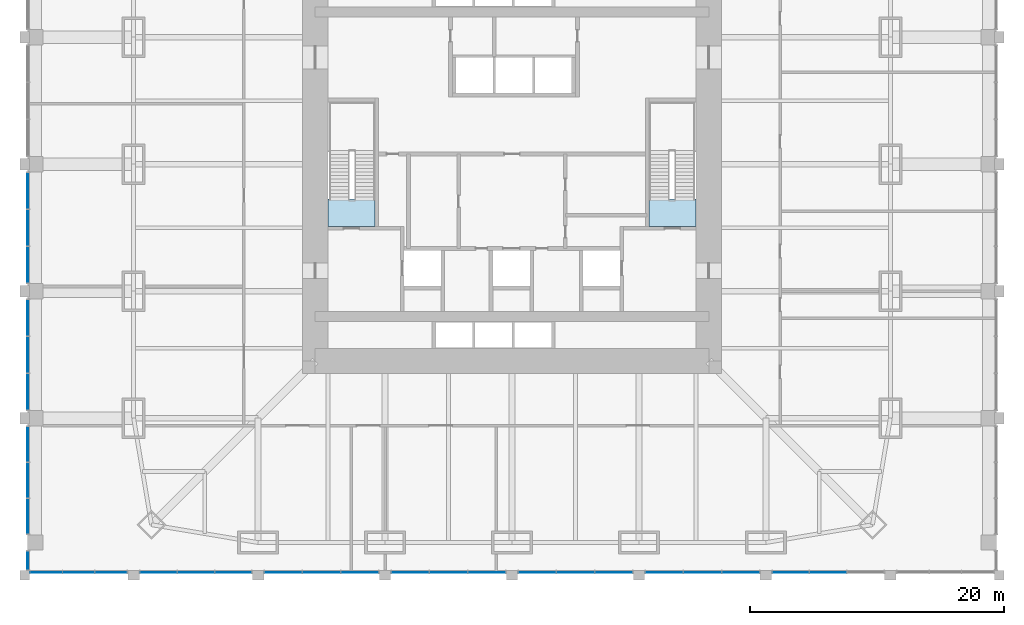
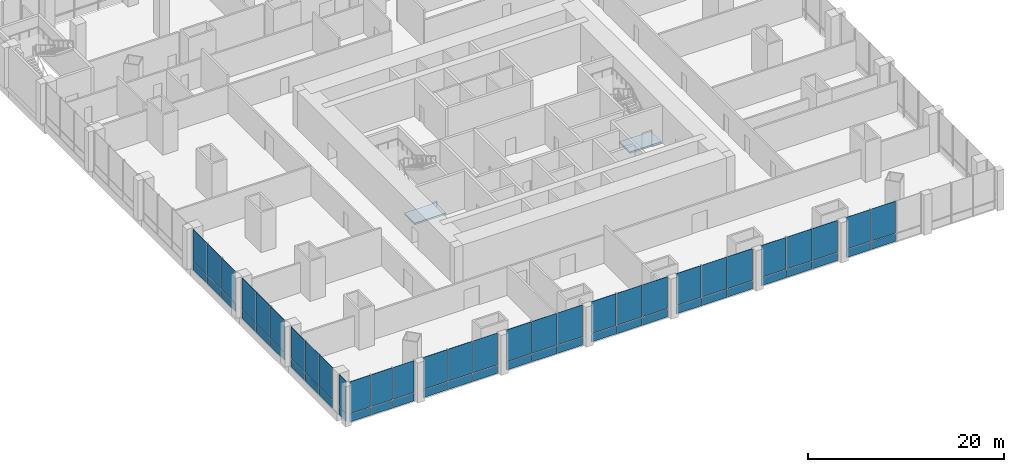
# One storey, part 13 of 24: 60 plates, 2 slabs, 13 elements without a shape of their own.
"""IFC4 building model written with IfcOpenShell, lengths in metres."""

from ifc_helpers import new_model, si_unit, direction, frame, origin, origin_2d, place, context, subcontext, project, spatial, polyline, rectangle, outline, extrude, material, layer, layer_set, type_object, element, aggregate, save


model = new_model("IFC4")

# Units and contexts
model_context = context("Model", 3, precision=1e-05, world=origin(), true_north=direction((0.0, 1.0)))
body_context = subcontext(model_context, "Body", "Model", "MODEL_VIEW")
ifc_project = project(units=[si_unit("LENGTHUNIT", "METRE"), si_unit("AREAUNIT", "SQUARE_METRE"), si_unit("VOLUMEUNIT", "CUBIC_METRE"), si_unit("PLANEANGLEUNIT", "RADIAN"), si_unit("MASSUNIT", "GRAM", prefix="KILO")], contexts=[model_context])

# Site, building, storey
site_placement = place(None, origin())
site = spatial("IfcSite", under=ifc_project, at=site_placement, CompositionType="ELEMENT")
building_placement = place(site_placement, origin())
building = spatial("IfcBuilding", under=site, at=building_placement, Name="Khuree Lantern Residences", CompositionType="ELEMENT")
storey_placement = place(building_placement, frame((0.0, 0.0, 6.0)))
storey = spatial("IfcBuildingStorey", under=building, at=storey_placement, Name="L01", CompositionType="ELEMENT", Elevation=6.0)

# Stair, slab
ifc_material_1 = material(Name="Concrete C40/50", Category="concrete")
stair_type = type_object("IfcStairType", Name="STAIR ST1 HALF TURN 3600", PredefinedType="HALF_TURN_STAIR", material=ifc_material_1)
stair_1_placement = place(storey_placement, origin())
stair_1 = element("IfcStair", 1, at=stair_1_placement, inside=storey, type_object=stair_type, Name="Stair ST1", PredefinedType="HALF_TURN_STAIR")
ifc_layer_1 = layer(ifc_material_1, 0.199951171875)
ifc_layer_set_1 = layer_set([ifc_layer_1], Name="STAIR LANDING SL1 200")
slab_type = type_object("IfcSlabType", Name="STAIR LANDING SL1 200", PredefinedType="LANDING", material=ifc_layer_set_1)
slab_1_placement = place(storey_placement, frame((0.0, 0.0, -0.199951171875)))
slab_1 = element("IfcSlab", 2, at=slab_1_placement, type_object=slab_type, Name="ST1 landing 1", PredefinedType="LANDING", context=body_context, shape_type="SweptSolid", body=[
    extrude(outline(polyline([(-14.5, -4.89990234375), (-10.800048828125, -4.89990234375), (-10.800048828125, -2.760009765625), (-14.5, -2.760009765625), (-14.5, -4.89990234375)])), origin(), (0.0, 0.0, 1.0), 0.199951171875),
])
aggregate(stair_1, [slab_1])

stair_2_placement = place(storey_placement, origin())
stair_2 = element("IfcStair", 3, at=stair_2_placement, inside=storey, type_object=stair_type, Name="Stair ST2", PredefinedType="HALF_TURN_STAIR")
slab_2_placement = place(storey_placement, frame((0.0, 0.0, -0.199951171875)))
slab_2 = element("IfcSlab", 4, at=slab_2_placement, type_object=slab_type, Name="ST2 landing 1", PredefinedType="LANDING", context=body_context, shape_type="SweptSolid", body=[
    extrude(outline(polyline([(10.800048828125, -4.89990234375), (14.5, -4.89990234375), (14.5, -2.760009765625), (10.800048828125, -2.760009765625), (10.800048828125, -4.89990234375)])), origin(), (0.0, 0.0, 1.0), 0.199951171875),
])
aggregate(stair_2, [slab_2])

# Curtain wall, plates
ifc_material_2 = material(Name="Bronze anodised aluminium", Category="aluminium")
curtain_wall_type = type_object("IfcCurtainWallType", Name="CW-P PODIUM STOREFRONT CURTAIN WALL", PredefinedType="USERDEFINED", material=ifc_material_2)
curtain_wall_1_placement = place(storey_placement, origin())
curtain_wall_1 = element("IfcCurtainWall", 5, at=curtain_wall_1_placement, inside=storey, type_object=curtain_wall_type, Name="L01 SOUTH FACE BAY 1 STOREFRONT", ObjectType="Storefront curtain wall", PredefinedType="USERDEFINED")
ifc_material_3 = material(Name="Bronze tinted laminated triple glazing", Category="glass")
ifc_layer_2 = layer(ifc_material_3, 0.0400390625)
ifc_layer_set_2 = layer_set([ifc_layer_2], Name="STOREFRONT GLASS PANEL P9")
plate_type_1 = type_object("IfcPlateType", Name="STOREFRONT GLASS PANEL P9", PredefinedType="CURTAIN_PANEL", material=ifc_layer_set_2)
plate_1_placement = place(storey_placement, frame((-36.683349609375, -32.14990234375, 1.03759765625), z_axis=(0.0, 0.0, 1.0), x_axis=(1.0, 0.0, 0.0)))
plate_1 = element("IfcPlate", 6, at=plate_1_placement, type_object=plate_type_1, Name="L01 SOUTH FACE BAY 1 PANEL 1.2", PredefinedType="CURTAIN_PANEL", context=body_context, shape_type="SweptSolid", body=[
    extrude(rectangle(XDim=2.4833984375, YDim=0.0400390625, at=origin_2d()), origin(), (0.0, 0.0, 1.0), 3.96240234375),
])
plate_2_placement = place(storey_placement, frame((-34.125, -32.14990234375, 1.03759765625), z_axis=(0.0, 0.0, 1.0), x_axis=(1.0, 0.0, 0.0)))
plate_2 = element("IfcPlate", 7, at=plate_2_placement, type_object=plate_type_1, Name="L01 SOUTH FACE BAY 1 PANEL 2.2", PredefinedType="CURTAIN_PANEL", context=body_context, shape_type="SweptSolid", body=[
    extrude(rectangle(XDim=2.4833984375, YDim=0.0400390625, at=origin_2d()), origin(), (0.0, 0.0, 1.0), 3.96240234375),
])
plate_3_placement = place(storey_placement, frame((-31.566650390625, -32.14990234375, 1.03759765625), z_axis=(0.0, 0.0, 1.0), x_axis=(1.0, 0.0, 0.0)))
plate_3 = element("IfcPlate", 8, at=plate_3_placement, type_object=plate_type_1, Name="L01 SOUTH FACE BAY 1 PANEL 3.2", PredefinedType="CURTAIN_PANEL", context=body_context, shape_type="SweptSolid", body=[
    extrude(rectangle(XDim=2.4833984375, YDim=0.0400390625, at=origin_2d()), origin(), (0.0, 0.0, 1.0), 3.96240234375),
])

curtain_wall_2_placement = place(storey_placement, origin())
curtain_wall_2 = element("IfcCurtainWall", 9, at=curtain_wall_2_placement, inside=storey, type_object=curtain_wall_type, Name="L01 SOUTH FACE BAY 2 STOREFRONT", ObjectType="Storefront curtain wall", PredefinedType="USERDEFINED")
plate_4_placement = place(storey_placement, frame((-27.841552734375, -32.14990234375, 1.03759765625), z_axis=(0.0, 0.0, 1.0), x_axis=(1.0, 0.0, 0.0)))
plate_4 = element("IfcPlate", 10, at=plate_4_placement, type_object=plate_type_1, Name="L01 SOUTH FACE BAY 2 PANEL 1.2", PredefinedType="CURTAIN_PANEL", context=body_context, shape_type="SweptSolid", body=[
    extrude(rectangle(XDim=2.86669921875, YDim=0.0400390625, at=origin_2d()), origin(), (0.0, 0.0, 1.0), 3.96240234375),
])
plate_5_placement = place(storey_placement, frame((-24.89990234375, -32.14990234375, 1.03759765625), z_axis=(0.0, 0.0, 1.0), x_axis=(1.0, 0.0, 0.0)))
plate_5 = element("IfcPlate", 11, at=plate_5_placement, type_object=plate_type_1, Name="L01 SOUTH FACE BAY 2 PANEL 2.2", PredefinedType="CURTAIN_PANEL", context=body_context, shape_type="SweptSolid", body=[
    extrude(rectangle(XDim=2.86669921875, YDim=0.0400390625, at=origin_2d()), origin(), (0.0, 0.0, 1.0), 3.96240234375),
])
plate_6_placement = place(storey_placement, frame((-21.958251953125, -32.14990234375, 1.03759765625), z_axis=(0.0, 0.0, 1.0), x_axis=(1.0, 0.0, 0.0)))
plate_6 = element("IfcPlate", 12, at=plate_6_placement, type_object=plate_type_1, Name="L01 SOUTH FACE BAY 2 PANEL 3.2", PredefinedType="CURTAIN_PANEL", context=body_context, shape_type="SweptSolid", body=[
    extrude(rectangle(XDim=2.86669921875, YDim=0.0400390625, at=origin_2d()), origin(), (0.0, 0.0, 1.0), 3.96240234375),
])

curtain_wall_3_placement = place(storey_placement, origin())
curtain_wall_3 = element("IfcCurtainWall", 13, at=curtain_wall_3_placement, inside=storey, type_object=curtain_wall_type, Name="L01 SOUTH FACE BAY 3 STOREFRONT", ObjectType="Storefront curtain wall", PredefinedType="USERDEFINED")
plate_7_placement = place(storey_placement, frame((-18.00830078125, -32.14990234375, 1.03759765625), z_axis=(0.0, 0.0, 1.0), x_axis=(1.0, 0.0, 0.0)))
plate_7 = element("IfcPlate", 14, at=plate_7_placement, type_object=plate_type_1, Name="L01 SOUTH FACE BAY 3 PANEL 1.2", PredefinedType="CURTAIN_PANEL", context=body_context, shape_type="SweptSolid", body=[
    extrude(rectangle(XDim=2.933349609375, YDim=0.0400390625, at=origin_2d()), origin(), (0.0, 0.0, 1.0), 3.96240234375),
])
plate_8_placement = place(storey_placement, frame((-15.0, -32.14990234375, 1.03759765625), z_axis=(0.0, 0.0, 1.0), x_axis=(1.0, 0.0, 0.0)))
plate_8 = element("IfcPlate", 15, at=plate_8_placement, type_object=plate_type_1, Name="L01 SOUTH FACE BAY 3 PANEL 2.2", PredefinedType="CURTAIN_PANEL", context=body_context, shape_type="SweptSolid", body=[
    extrude(rectangle(XDim=2.933349609375, YDim=0.0400390625, at=origin_2d()), origin(), (0.0, 0.0, 1.0), 3.96240234375),
])
plate_9_placement = place(storey_placement, frame((-11.99169921875, -32.14990234375, 1.03759765625), z_axis=(0.0, 0.0, 1.0), x_axis=(1.0, 0.0, 0.0)))
plate_9 = element("IfcPlate", 16, at=plate_9_placement, type_object=plate_type_1, Name="L01 SOUTH FACE BAY 3 PANEL 3.2", PredefinedType="CURTAIN_PANEL", context=body_context, shape_type="SweptSolid", body=[
    extrude(rectangle(XDim=2.933349609375, YDim=0.0400390625, at=origin_2d()), origin(), (0.0, 0.0, 1.0), 3.96240234375),
])

curtain_wall_4_placement = place(storey_placement, origin())
curtain_wall_4 = element("IfcCurtainWall", 17, at=curtain_wall_4_placement, inside=storey, type_object=curtain_wall_type, Name="L01 SOUTH FACE BAY 4 STOREFRONT", ObjectType="Storefront curtain wall", PredefinedType="USERDEFINED")
plate_10_placement = place(storey_placement, frame((-8.00830078125, -32.14990234375, 1.03759765625), z_axis=(0.0, 0.0, 1.0), x_axis=(1.0, 0.0, 0.0)))
plate_10 = element("IfcPlate", 18, at=plate_10_placement, type_object=plate_type_1, Name="L01 SOUTH FACE BAY 4 PANEL 1.2", PredefinedType="CURTAIN_PANEL", context=body_context, shape_type="SweptSolid", body=[
    extrude(rectangle(XDim=2.933349609375, YDim=0.0400390625, at=origin_2d()), origin(), (0.0, 0.0, 1.0), 3.96240234375),
])
plate_11_placement = place(storey_placement, frame((-5.0, -32.14990234375, 1.03759765625), z_axis=(0.0, 0.0, 1.0), x_axis=(1.0, 0.0, 0.0)))
plate_11 = element("IfcPlate", 19, at=plate_11_placement, type_object=plate_type_1, Name="L01 SOUTH FACE BAY 4 PANEL 2.2", PredefinedType="CURTAIN_PANEL", context=body_context, shape_type="SweptSolid", body=[
    extrude(rectangle(XDim=2.933349609375, YDim=0.0400390625, at=origin_2d()), origin(), (0.0, 0.0, 1.0), 3.96240234375),
])
plate_12_placement = place(storey_placement, frame((-1.99169921875, -32.14990234375, 1.03759765625), z_axis=(0.0, 0.0, 1.0), x_axis=(1.0, 0.0, 0.0)))
plate_12 = element("IfcPlate", 20, at=plate_12_placement, type_object=plate_type_1, Name="L01 SOUTH FACE BAY 4 PANEL 3.2", PredefinedType="CURTAIN_PANEL", context=body_context, shape_type="SweptSolid", body=[
    extrude(rectangle(XDim=2.933349609375, YDim=0.0400390625, at=origin_2d()), origin(), (0.0, 0.0, 1.0), 3.96240234375),
])

curtain_wall_5_placement = place(storey_placement, origin())
curtain_wall_5 = element("IfcCurtainWall", 21, at=curtain_wall_5_placement, inside=storey, type_object=curtain_wall_type, Name="L01 SOUTH FACE BAY 5 STOREFRONT", ObjectType="Storefront curtain wall", PredefinedType="USERDEFINED")
plate_13_placement = place(storey_placement, frame((1.99169921875, -32.14990234375, 1.03759765625), z_axis=(0.0, 0.0, 1.0), x_axis=(1.0, 0.0, 0.0)))
plate_13 = element("IfcPlate", 22, at=plate_13_placement, type_object=plate_type_1, Name="L01 SOUTH FACE BAY 5 PANEL 1.2", PredefinedType="CURTAIN_PANEL", context=body_context, shape_type="SweptSolid", body=[
    extrude(rectangle(XDim=2.933349609375, YDim=0.0400390625, at=origin_2d()), origin(), (0.0, 0.0, 1.0), 3.96240234375),
])
plate_14_placement = place(storey_placement, frame((5.0, -32.14990234375, 1.03759765625), z_axis=(0.0, 0.0, 1.0), x_axis=(1.0, 0.0, 0.0)))
plate_14 = element("IfcPlate", 23, at=plate_14_placement, type_object=plate_type_1, Name="L01 SOUTH FACE BAY 5 PANEL 2.2", PredefinedType="CURTAIN_PANEL", context=body_context, shape_type="SweptSolid", body=[
    extrude(rectangle(XDim=2.933349609375, YDim=0.0400390625, at=origin_2d()), origin(), (0.0, 0.0, 1.0), 3.96240234375),
])
plate_15_placement = place(storey_placement, frame((8.00830078125, -32.14990234375, 1.03759765625), z_axis=(0.0, 0.0, 1.0), x_axis=(1.0, 0.0, 0.0)))
plate_15 = element("IfcPlate", 24, at=plate_15_placement, type_object=plate_type_1, Name="L01 SOUTH FACE BAY 5 PANEL 3.2", PredefinedType="CURTAIN_PANEL", context=body_context, shape_type="SweptSolid", body=[
    extrude(rectangle(XDim=2.933349609375, YDim=0.0400390625, at=origin_2d()), origin(), (0.0, 0.0, 1.0), 3.96240234375),
])

curtain_wall_6_placement = place(storey_placement, origin())
curtain_wall_6 = element("IfcCurtainWall", 25, at=curtain_wall_6_placement, inside=storey, type_object=curtain_wall_type, Name="L01 SOUTH FACE BAY 6 STOREFRONT", ObjectType="Storefront curtain wall", PredefinedType="USERDEFINED")
plate_16_placement = place(storey_placement, frame((11.99169921875, -32.14990234375, 1.03759765625), z_axis=(0.0, 0.0, 1.0), x_axis=(1.0, 0.0, 0.0)))
plate_16 = element("IfcPlate", 26, at=plate_16_placement, type_object=plate_type_1, Name="L01 SOUTH FACE BAY 6 PANEL 1.2", PredefinedType="CURTAIN_PANEL", context=body_context, shape_type="SweptSolid", body=[
    extrude(rectangle(XDim=2.933349609375, YDim=0.0400390625, at=origin_2d()), origin(), (0.0, 0.0, 1.0), 3.96240234375),
])
plate_17_placement = place(storey_placement, frame((15.0, -32.14990234375, 1.03759765625), z_axis=(0.0, 0.0, 1.0), x_axis=(1.0, 0.0, 0.0)))
plate_17 = element("IfcPlate", 27, at=plate_17_placement, type_object=plate_type_1, Name="L01 SOUTH FACE BAY 6 PANEL 2.2", PredefinedType="CURTAIN_PANEL", context=body_context, shape_type="SweptSolid", body=[
    extrude(rectangle(XDim=2.933349609375, YDim=0.0400390625, at=origin_2d()), origin(), (0.0, 0.0, 1.0), 3.96240234375),
])
plate_18_placement = place(storey_placement, frame((18.00830078125, -32.14990234375, 1.03759765625), z_axis=(0.0, 0.0, 1.0), x_axis=(1.0, 0.0, 0.0)))
plate_18 = element("IfcPlate", 28, at=plate_18_placement, type_object=plate_type_1, Name="L01 SOUTH FACE BAY 6 PANEL 3.2", PredefinedType="CURTAIN_PANEL", context=body_context, shape_type="SweptSolid", body=[
    extrude(rectangle(XDim=2.933349609375, YDim=0.0400390625, at=origin_2d()), origin(), (0.0, 0.0, 1.0), 3.96240234375),
])

curtain_wall_7_placement = place(storey_placement, origin())
curtain_wall_7 = element("IfcCurtainWall", 29, at=curtain_wall_7_placement, inside=storey, type_object=curtain_wall_type, Name="L01 SOUTH FACE BAY 7 STOREFRONT", ObjectType="Storefront curtain wall", PredefinedType="USERDEFINED")
plate_19_placement = place(storey_placement, frame((21.958251953125, -32.14990234375, 1.03759765625), z_axis=(0.0, 0.0, 1.0), x_axis=(1.0, 0.0, 0.0)))
plate_19 = element("IfcPlate", 30, at=plate_19_placement, type_object=plate_type_1, Name="L01 SOUTH FACE BAY 7 PANEL 1.2", PredefinedType="CURTAIN_PANEL", context=body_context, shape_type="SweptSolid", body=[
    extrude(rectangle(XDim=2.86669921875, YDim=0.0400390625, at=origin_2d()), origin(), (0.0, 0.0, 1.0), 3.96240234375),
])
plate_20_placement = place(storey_placement, frame((24.89990234375, -32.14990234375, 1.03759765625), z_axis=(0.0, 0.0, 1.0), x_axis=(1.0, 0.0, 0.0)))
plate_20 = element("IfcPlate", 31, at=plate_20_placement, type_object=plate_type_1, Name="L01 SOUTH FACE BAY 7 PANEL 2.2", PredefinedType="CURTAIN_PANEL", context=body_context, shape_type="SweptSolid", body=[
    extrude(rectangle(XDim=2.86669921875, YDim=0.0400390625, at=origin_2d()), origin(), (0.0, 0.0, 1.0), 3.96240234375),
])

curtain_wall_8_placement = place(storey_placement, origin())
curtain_wall_8 = element("IfcCurtainWall", 32, at=curtain_wall_8_placement, inside=storey, type_object=curtain_wall_type, Name="L01 WEST FACE BAY 6 STOREFRONT", ObjectType="Storefront curtain wall", PredefinedType="USERDEFINED")
plate_21_placement = place(storey_placement, frame((-38.14990234375, -2.091552734375, 1.03759765625), z_axis=(0.0, 0.0, 1.0), x_axis=(0.0, -1.0, 0.0)))
plate_21 = element("IfcPlate", 33, at=plate_21_placement, type_object=plate_type_1, Name="L01 WEST FACE BAY 6 PANEL 1.2", PredefinedType="CURTAIN_PANEL", context=body_context, shape_type="SweptSolid", body=[
    extrude(rectangle(XDim=2.833251953125, YDim=0.0400390625, at=origin_2d()), origin(), (0.0, 0.0, 1.0), 3.96240234375),
])
plate_22_placement = place(storey_placement, frame((-38.14990234375, -5.0, 1.03759765625), z_axis=(0.0, 0.0, 1.0), x_axis=(0.0, -1.0, 0.0)))
plate_22 = element("IfcPlate", 34, at=plate_22_placement, type_object=plate_type_1, Name="L01 WEST FACE BAY 6 PANEL 2.2", PredefinedType="CURTAIN_PANEL", context=body_context, shape_type="SweptSolid", body=[
    extrude(rectangle(XDim=2.833251953125, YDim=0.0400390625, at=origin_2d()), origin(), (0.0, 0.0, 1.0), 3.96240234375),
])
plate_23_placement = place(storey_placement, frame((-38.14990234375, -7.908447265625, 1.03759765625), z_axis=(0.0, 0.0, 1.0), x_axis=(0.0, -1.0, 0.0)))
plate_23 = element("IfcPlate", 35, at=plate_23_placement, type_object=plate_type_1, Name="L01 WEST FACE BAY 6 PANEL 3.2", PredefinedType="CURTAIN_PANEL", context=body_context, shape_type="SweptSolid", body=[
    extrude(rectangle(XDim=2.833251953125, YDim=0.0400390625, at=origin_2d()), origin(), (0.0, 0.0, 1.0), 3.96240234375),
])

curtain_wall_9_placement = place(storey_placement, origin())
curtain_wall_9 = element("IfcCurtainWall", 36, at=curtain_wall_9_placement, inside=storey, type_object=curtain_wall_type, Name="L01 WEST FACE BAY 7 STOREFRONT", ObjectType="Storefront curtain wall", PredefinedType="USERDEFINED")
plate_24_placement = place(storey_placement, frame((-38.14990234375, -12.091552734375, 1.03759765625), z_axis=(0.0, 0.0, 1.0), x_axis=(0.0, -1.0, 0.0)))
plate_24 = element("IfcPlate", 37, at=plate_24_placement, type_object=plate_type_1, Name="L01 WEST FACE BAY 7 PANEL 1.2", PredefinedType="CURTAIN_PANEL", context=body_context, shape_type="SweptSolid", body=[
    extrude(rectangle(XDim=2.833251953125, YDim=0.0400390625, at=origin_2d()), origin(), (0.0, 0.0, 1.0), 3.96240234375),
])
plate_25_placement = place(storey_placement, frame((-38.14990234375, -15.0, 1.03759765625), z_axis=(0.0, 0.0, 1.0), x_axis=(0.0, -1.0, 0.0)))
plate_25 = element("IfcPlate", 38, at=plate_25_placement, type_object=plate_type_1, Name="L01 WEST FACE BAY 7 PANEL 2.2", PredefinedType="CURTAIN_PANEL", context=body_context, shape_type="SweptSolid", body=[
    extrude(rectangle(XDim=2.833251953125, YDim=0.0400390625, at=origin_2d()), origin(), (0.0, 0.0, 1.0), 3.96240234375),
])
plate_26_placement = place(storey_placement, frame((-38.14990234375, -17.908447265625, 1.03759765625), z_axis=(0.0, 0.0, 1.0), x_axis=(0.0, -1.0, 0.0)))
plate_26 = element("IfcPlate", 39, at=plate_26_placement, type_object=plate_type_1, Name="L01 WEST FACE BAY 7 PANEL 3.2", PredefinedType="CURTAIN_PANEL", context=body_context, shape_type="SweptSolid", body=[
    extrude(rectangle(XDim=2.833251953125, YDim=0.0400390625, at=origin_2d()), origin(), (0.0, 0.0, 1.0), 3.96240234375),
])

curtain_wall_10_placement = place(storey_placement, origin())
curtain_wall_10 = element("IfcCurtainWall", 40, at=curtain_wall_10_placement, inside=storey, type_object=curtain_wall_type, Name="L01 WEST FACE BAY 8 STOREFRONT", ObjectType="Storefront curtain wall", PredefinedType="USERDEFINED")
plate_27_placement = place(storey_placement, frame((-38.14990234375, -22.058349609375, 1.03759765625), z_axis=(0.0, 0.0, 1.0), x_axis=(0.0, -1.0, 0.0)))
plate_27 = element("IfcPlate", 41, at=plate_27_placement, type_object=plate_type_1, Name="L01 WEST FACE BAY 8 PANEL 1.2", PredefinedType="CURTAIN_PANEL", context=body_context, shape_type="SweptSolid", body=[
    extrude(rectangle(XDim=2.7666015625, YDim=0.0400390625, at=origin_2d()), origin(), (0.0, 0.0, 1.0), 3.96240234375),
])
plate_28_placement = place(storey_placement, frame((-38.14990234375, -24.89990234375, 1.03759765625), z_axis=(0.0, 0.0, 1.0), x_axis=(0.0, -1.0, 0.0)))
plate_28 = element("IfcPlate", 42, at=plate_28_placement, type_object=plate_type_1, Name="L01 WEST FACE BAY 8 PANEL 2.2", PredefinedType="CURTAIN_PANEL", context=body_context, shape_type="SweptSolid", body=[
    extrude(rectangle(XDim=2.7666015625, YDim=0.0400390625, at=origin_2d()), origin(), (0.0, 0.0, 1.0), 3.96240234375),
])
plate_29_placement = place(storey_placement, frame((-38.14990234375, -27.74169921875, 1.03759765625), z_axis=(0.0, 0.0, 1.0), x_axis=(0.0, -1.0, 0.0)))
plate_29 = element("IfcPlate", 43, at=plate_29_placement, type_object=plate_type_1, Name="L01 WEST FACE BAY 8 PANEL 3.2", PredefinedType="CURTAIN_PANEL", context=body_context, shape_type="SweptSolid", body=[
    extrude(rectangle(XDim=2.7666015625, YDim=0.0400390625, at=origin_2d()), origin(), (0.0, 0.0, 1.0), 3.96240234375),
])

# Curtain wall, plate
curtain_wall_11_placement = place(storey_placement, origin())
curtain_wall_11 = element("IfcCurtainWall", 44, at=curtain_wall_11_placement, inside=storey, type_object=curtain_wall_type, Name="L01 WEST FACE BAY 8B STOREFRONT", ObjectType="Storefront curtain wall", PredefinedType="USERDEFINED")
plate_30_placement = place(storey_placement, frame((-38.14990234375, -31.199951171875, 1.03759765625), z_axis=(0.0, 0.0, 1.0), x_axis=(0.0, -1.0, 0.0)))
plate_30 = element("IfcPlate", 45, at=plate_30_placement, type_object=plate_type_1, Name="L01 WEST FACE BAY 8B PANEL 1.2", PredefinedType="CURTAIN_PANEL", context=body_context, shape_type="SweptSolid", body=[
    extrude(rectangle(XDim=1.449951171875, YDim=0.0400390625, at=origin_2d()), origin(), (0.0, 0.0, 1.0), 3.96240234375),
])

# Plate
ifc_material_4 = material(Name="Bronze anodised aluminium insulated spandrel", Category="aluminium")
ifc_layer_3 = layer(ifc_material_4, 0.06005859375)
ifc_layer_set_3 = layer_set([ifc_layer_3], Name="STOREFRONT SPANDREL PANEL P10")
plate_type_2 = type_object("IfcPlateType", Name="STOREFRONT SPANDREL PANEL P10", PredefinedType="CURTAIN_PANEL", material=ifc_layer_set_3)
plate_31_placement = place(storey_placement, frame((-36.683349609375, -32.14990234375, 0.0), z_axis=(0.0, 0.0, 1.0), x_axis=(1.0, 0.0, 0.0)))
plate_31 = element("IfcPlate", 46, at=plate_31_placement, type_object=plate_type_2, Name="L01 SOUTH FACE BAY 1 PANEL 1.1", PredefinedType="CURTAIN_PANEL", context=body_context, shape_type="SweptSolid", body=[
    extrude(rectangle(XDim=2.4833984375, YDim=0.06005859375, at=origin_2d()), origin(), (0.0, 0.0, 1.0), 0.96240234375),
])

plate_32_placement = place(storey_placement, frame((-34.125, -32.14990234375, 0.0), z_axis=(0.0, 0.0, 1.0), x_axis=(1.0, 0.0, 0.0)))
plate_32 = element("IfcPlate", 47, at=plate_32_placement, type_object=plate_type_2, Name="L01 SOUTH FACE BAY 1 PANEL 2.1", PredefinedType="CURTAIN_PANEL", context=body_context, shape_type="SweptSolid", body=[
    extrude(rectangle(XDim=2.4833984375, YDim=0.06005859375, at=origin_2d()), origin(), (0.0, 0.0, 1.0), 0.96240234375),
])

plate_33_placement = place(storey_placement, frame((-31.566650390625, -32.14990234375, 0.0), z_axis=(0.0, 0.0, 1.0), x_axis=(1.0, 0.0, 0.0)))
plate_33 = element("IfcPlate", 48, at=plate_33_placement, type_object=plate_type_2, Name="L01 SOUTH FACE BAY 1 PANEL 3.1", PredefinedType="CURTAIN_PANEL", context=body_context, shape_type="SweptSolid", body=[
    extrude(rectangle(XDim=2.4833984375, YDim=0.06005859375, at=origin_2d()), origin(), (0.0, 0.0, 1.0), 0.96240234375),
])

aggregate(curtain_wall_1, [plate_31, plate_1, plate_32, plate_2, plate_33, plate_3])

plate_34_placement = place(storey_placement, frame((-27.841552734375, -32.14990234375, 0.0), z_axis=(0.0, 0.0, 1.0), x_axis=(1.0, 0.0, 0.0)))
plate_34 = element("IfcPlate", 49, at=plate_34_placement, type_object=plate_type_2, Name="L01 SOUTH FACE BAY 2 PANEL 1.1", PredefinedType="CURTAIN_PANEL", context=body_context, shape_type="SweptSolid", body=[
    extrude(rectangle(XDim=2.86669921875, YDim=0.06005859375, at=origin_2d()), origin(), (0.0, 0.0, 1.0), 0.96240234375),
])

plate_35_placement = place(storey_placement, frame((-24.89990234375, -32.14990234375, 0.0), z_axis=(0.0, 0.0, 1.0), x_axis=(1.0, 0.0, 0.0)))
plate_35 = element("IfcPlate", 50, at=plate_35_placement, type_object=plate_type_2, Name="L01 SOUTH FACE BAY 2 PANEL 2.1", PredefinedType="CURTAIN_PANEL", context=body_context, shape_type="SweptSolid", body=[
    extrude(rectangle(XDim=2.86669921875, YDim=0.06005859375, at=origin_2d()), origin(), (0.0, 0.0, 1.0), 0.96240234375),
])

plate_36_placement = place(storey_placement, frame((-21.958251953125, -32.14990234375, 0.0), z_axis=(0.0, 0.0, 1.0), x_axis=(1.0, 0.0, 0.0)))
plate_36 = element("IfcPlate", 51, at=plate_36_placement, type_object=plate_type_2, Name="L01 SOUTH FACE BAY 2 PANEL 3.1", PredefinedType="CURTAIN_PANEL", context=body_context, shape_type="SweptSolid", body=[
    extrude(rectangle(XDim=2.86669921875, YDim=0.06005859375, at=origin_2d()), origin(), (0.0, 0.0, 1.0), 0.96240234375),
])

aggregate(curtain_wall_2, [plate_34, plate_4, plate_35, plate_5, plate_36, plate_6])

plate_37_placement = place(storey_placement, frame((-18.00830078125, -32.14990234375, 0.0), z_axis=(0.0, 0.0, 1.0), x_axis=(1.0, 0.0, 0.0)))
plate_37 = element("IfcPlate", 52, at=plate_37_placement, type_object=plate_type_2, Name="L01 SOUTH FACE BAY 3 PANEL 1.1", PredefinedType="CURTAIN_PANEL", context=body_context, shape_type="SweptSolid", body=[
    extrude(rectangle(XDim=2.933349609375, YDim=0.06005859375, at=origin_2d()), origin(), (0.0, 0.0, 1.0), 0.96240234375),
])

plate_38_placement = place(storey_placement, frame((-15.0, -32.14990234375, 0.0), z_axis=(0.0, 0.0, 1.0), x_axis=(1.0, 0.0, 0.0)))
plate_38 = element("IfcPlate", 53, at=plate_38_placement, type_object=plate_type_2, Name="L01 SOUTH FACE BAY 3 PANEL 2.1", PredefinedType="CURTAIN_PANEL", context=body_context, shape_type="SweptSolid", body=[
    extrude(rectangle(XDim=2.933349609375, YDim=0.06005859375, at=origin_2d()), origin(), (0.0, 0.0, 1.0), 0.96240234375),
])

plate_39_placement = place(storey_placement, frame((-11.99169921875, -32.14990234375, 0.0), z_axis=(0.0, 0.0, 1.0), x_axis=(1.0, 0.0, 0.0)))
plate_39 = element("IfcPlate", 54, at=plate_39_placement, type_object=plate_type_2, Name="L01 SOUTH FACE BAY 3 PANEL 3.1", PredefinedType="CURTAIN_PANEL", context=body_context, shape_type="SweptSolid", body=[
    extrude(rectangle(XDim=2.933349609375, YDim=0.06005859375, at=origin_2d()), origin(), (0.0, 0.0, 1.0), 0.96240234375),
])

aggregate(curtain_wall_3, [plate_37, plate_7, plate_38, plate_8, plate_39, plate_9])

plate_40_placement = place(storey_placement, frame((-8.00830078125, -32.14990234375, 0.0), z_axis=(0.0, 0.0, 1.0), x_axis=(1.0, 0.0, 0.0)))
plate_40 = element("IfcPlate", 55, at=plate_40_placement, type_object=plate_type_2, Name="L01 SOUTH FACE BAY 4 PANEL 1.1", PredefinedType="CURTAIN_PANEL", context=body_context, shape_type="SweptSolid", body=[
    extrude(rectangle(XDim=2.933349609375, YDim=0.06005859375, at=origin_2d()), origin(), (0.0, 0.0, 1.0), 0.96240234375),
])

plate_41_placement = place(storey_placement, frame((-5.0, -32.14990234375, 0.0), z_axis=(0.0, 0.0, 1.0), x_axis=(1.0, 0.0, 0.0)))
plate_41 = element("IfcPlate", 56, at=plate_41_placement, type_object=plate_type_2, Name="L01 SOUTH FACE BAY 4 PANEL 2.1", PredefinedType="CURTAIN_PANEL", context=body_context, shape_type="SweptSolid", body=[
    extrude(rectangle(XDim=2.933349609375, YDim=0.06005859375, at=origin_2d()), origin(), (0.0, 0.0, 1.0), 0.96240234375),
])

plate_42_placement = place(storey_placement, frame((-1.99169921875, -32.14990234375, 0.0), z_axis=(0.0, 0.0, 1.0), x_axis=(1.0, 0.0, 0.0)))
plate_42 = element("IfcPlate", 57, at=plate_42_placement, type_object=plate_type_2, Name="L01 SOUTH FACE BAY 4 PANEL 3.1", PredefinedType="CURTAIN_PANEL", context=body_context, shape_type="SweptSolid", body=[
    extrude(rectangle(XDim=2.933349609375, YDim=0.06005859375, at=origin_2d()), origin(), (0.0, 0.0, 1.0), 0.96240234375),
])

aggregate(curtain_wall_4, [plate_40, plate_10, plate_41, plate_11, plate_42, plate_12])

plate_43_placement = place(storey_placement, frame((1.99169921875, -32.14990234375, 0.0), z_axis=(0.0, 0.0, 1.0), x_axis=(1.0, 0.0, 0.0)))
plate_43 = element("IfcPlate", 58, at=plate_43_placement, type_object=plate_type_2, Name="L01 SOUTH FACE BAY 5 PANEL 1.1", PredefinedType="CURTAIN_PANEL", context=body_context, shape_type="SweptSolid", body=[
    extrude(rectangle(XDim=2.933349609375, YDim=0.06005859375, at=origin_2d()), origin(), (0.0, 0.0, 1.0), 0.96240234375),
])

plate_44_placement = place(storey_placement, frame((5.0, -32.14990234375, 0.0), z_axis=(0.0, 0.0, 1.0), x_axis=(1.0, 0.0, 0.0)))
plate_44 = element("IfcPlate", 59, at=plate_44_placement, type_object=plate_type_2, Name="L01 SOUTH FACE BAY 5 PANEL 2.1", PredefinedType="CURTAIN_PANEL", context=body_context, shape_type="SweptSolid", body=[
    extrude(rectangle(XDim=2.933349609375, YDim=0.06005859375, at=origin_2d()), origin(), (0.0, 0.0, 1.0), 0.96240234375),
])

plate_45_placement = place(storey_placement, frame((8.00830078125, -32.14990234375, 0.0), z_axis=(0.0, 0.0, 1.0), x_axis=(1.0, 0.0, 0.0)))
plate_45 = element("IfcPlate", 60, at=plate_45_placement, type_object=plate_type_2, Name="L01 SOUTH FACE BAY 5 PANEL 3.1", PredefinedType="CURTAIN_PANEL", context=body_context, shape_type="SweptSolid", body=[
    extrude(rectangle(XDim=2.933349609375, YDim=0.06005859375, at=origin_2d()), origin(), (0.0, 0.0, 1.0), 0.96240234375),
])

aggregate(curtain_wall_5, [plate_43, plate_13, plate_44, plate_14, plate_45, plate_15])

plate_46_placement = place(storey_placement, frame((11.99169921875, -32.14990234375, 0.0), z_axis=(0.0, 0.0, 1.0), x_axis=(1.0, 0.0, 0.0)))
plate_46 = element("IfcPlate", 61, at=plate_46_placement, type_object=plate_type_2, Name="L01 SOUTH FACE BAY 6 PANEL 1.1", PredefinedType="CURTAIN_PANEL", context=body_context, shape_type="SweptSolid", body=[
    extrude(rectangle(XDim=2.933349609375, YDim=0.06005859375, at=origin_2d()), origin(), (0.0, 0.0, 1.0), 0.96240234375),
])

plate_47_placement = place(storey_placement, frame((15.0, -32.14990234375, 0.0), z_axis=(0.0, 0.0, 1.0), x_axis=(1.0, 0.0, 0.0)))
plate_47 = element("IfcPlate", 62, at=plate_47_placement, type_object=plate_type_2, Name="L01 SOUTH FACE BAY 6 PANEL 2.1", PredefinedType="CURTAIN_PANEL", context=body_context, shape_type="SweptSolid", body=[
    extrude(rectangle(XDim=2.933349609375, YDim=0.06005859375, at=origin_2d()), origin(), (0.0, 0.0, 1.0), 0.96240234375),
])

plate_48_placement = place(storey_placement, frame((18.00830078125, -32.14990234375, 0.0), z_axis=(0.0, 0.0, 1.0), x_axis=(1.0, 0.0, 0.0)))
plate_48 = element("IfcPlate", 63, at=plate_48_placement, type_object=plate_type_2, Name="L01 SOUTH FACE BAY 6 PANEL 3.1", PredefinedType="CURTAIN_PANEL", context=body_context, shape_type="SweptSolid", body=[
    extrude(rectangle(XDim=2.933349609375, YDim=0.06005859375, at=origin_2d()), origin(), (0.0, 0.0, 1.0), 0.96240234375),
])

aggregate(curtain_wall_6, [plate_46, plate_16, plate_47, plate_17, plate_48, plate_18])

plate_49_placement = place(storey_placement, frame((21.958251953125, -32.14990234375, 0.0), z_axis=(0.0, 0.0, 1.0), x_axis=(1.0, 0.0, 0.0)))
plate_49 = element("IfcPlate", 64, at=plate_49_placement, type_object=plate_type_2, Name="L01 SOUTH FACE BAY 7 PANEL 1.1", PredefinedType="CURTAIN_PANEL", context=body_context, shape_type="SweptSolid", body=[
    extrude(rectangle(XDim=2.86669921875, YDim=0.06005859375, at=origin_2d()), origin(), (0.0, 0.0, 1.0), 0.96240234375),
])

plate_50_placement = place(storey_placement, frame((24.89990234375, -32.14990234375, 0.0), z_axis=(0.0, 0.0, 1.0), x_axis=(1.0, 0.0, 0.0)))
plate_50 = element("IfcPlate", 65, at=plate_50_placement, type_object=plate_type_2, Name="L01 SOUTH FACE BAY 7 PANEL 2.1", PredefinedType="CURTAIN_PANEL", context=body_context, shape_type="SweptSolid", body=[
    extrude(rectangle(XDim=2.86669921875, YDim=0.06005859375, at=origin_2d()), origin(), (0.0, 0.0, 1.0), 0.96240234375),
])

aggregate(curtain_wall_7, [plate_49, plate_19, plate_50, plate_20])

plate_51_placement = place(storey_placement, frame((-38.14990234375, -2.091552734375, 0.0), z_axis=(0.0, 0.0, 1.0), x_axis=(0.0, -1.0, 0.0)))
plate_51 = element("IfcPlate", 66, at=plate_51_placement, type_object=plate_type_2, Name="L01 WEST FACE BAY 6 PANEL 1.1", PredefinedType="CURTAIN_PANEL", context=body_context, shape_type="SweptSolid", body=[
    extrude(rectangle(XDim=2.833251953125, YDim=0.06005859375, at=origin_2d()), origin(), (0.0, 0.0, 1.0), 0.96240234375),
])

plate_52_placement = place(storey_placement, frame((-38.14990234375, -5.0, 0.0), z_axis=(0.0, 0.0, 1.0), x_axis=(0.0, -1.0, 0.0)))
plate_52 = element("IfcPlate", 67, at=plate_52_placement, type_object=plate_type_2, Name="L01 WEST FACE BAY 6 PANEL 2.1", PredefinedType="CURTAIN_PANEL", context=body_context, shape_type="SweptSolid", body=[
    extrude(rectangle(XDim=2.833251953125, YDim=0.06005859375, at=origin_2d()), origin(), (0.0, 0.0, 1.0), 0.96240234375),
])

plate_53_placement = place(storey_placement, frame((-38.14990234375, -7.908447265625, 0.0), z_axis=(0.0, 0.0, 1.0), x_axis=(0.0, -1.0, 0.0)))
plate_53 = element("IfcPlate", 68, at=plate_53_placement, type_object=plate_type_2, Name="L01 WEST FACE BAY 6 PANEL 3.1", PredefinedType="CURTAIN_PANEL", context=body_context, shape_type="SweptSolid", body=[
    extrude(rectangle(XDim=2.833251953125, YDim=0.06005859375, at=origin_2d()), origin(), (0.0, 0.0, 1.0), 0.96240234375),
])

aggregate(curtain_wall_8, [plate_51, plate_21, plate_52, plate_22, plate_53, plate_23])

plate_54_placement = place(storey_placement, frame((-38.14990234375, -12.091552734375, 0.0), z_axis=(0.0, 0.0, 1.0), x_axis=(0.0, -1.0, 0.0)))
plate_54 = element("IfcPlate", 69, at=plate_54_placement, type_object=plate_type_2, Name="L01 WEST FACE BAY 7 PANEL 1.1", PredefinedType="CURTAIN_PANEL", context=body_context, shape_type="SweptSolid", body=[
    extrude(rectangle(XDim=2.833251953125, YDim=0.06005859375, at=origin_2d()), origin(), (0.0, 0.0, 1.0), 0.96240234375),
])

plate_55_placement = place(storey_placement, frame((-38.14990234375, -15.0, 0.0), z_axis=(0.0, 0.0, 1.0), x_axis=(0.0, -1.0, 0.0)))
plate_55 = element("IfcPlate", 70, at=plate_55_placement, type_object=plate_type_2, Name="L01 WEST FACE BAY 7 PANEL 2.1", PredefinedType="CURTAIN_PANEL", context=body_context, shape_type="SweptSolid", body=[
    extrude(rectangle(XDim=2.833251953125, YDim=0.06005859375, at=origin_2d()), origin(), (0.0, 0.0, 1.0), 0.96240234375),
])

plate_56_placement = place(storey_placement, frame((-38.14990234375, -17.908447265625, 0.0), z_axis=(0.0, 0.0, 1.0), x_axis=(0.0, -1.0, 0.0)))
plate_56 = element("IfcPlate", 71, at=plate_56_placement, type_object=plate_type_2, Name="L01 WEST FACE BAY 7 PANEL 3.1", PredefinedType="CURTAIN_PANEL", context=body_context, shape_type="SweptSolid", body=[
    extrude(rectangle(XDim=2.833251953125, YDim=0.06005859375, at=origin_2d()), origin(), (0.0, 0.0, 1.0), 0.96240234375),
])

aggregate(curtain_wall_9, [plate_54, plate_24, plate_55, plate_25, plate_56, plate_26])

plate_57_placement = place(storey_placement, frame((-38.14990234375, -22.058349609375, 0.0), z_axis=(0.0, 0.0, 1.0), x_axis=(0.0, -1.0, 0.0)))
plate_57 = element("IfcPlate", 72, at=plate_57_placement, type_object=plate_type_2, Name="L01 WEST FACE BAY 8 PANEL 1.1", PredefinedType="CURTAIN_PANEL", context=body_context, shape_type="SweptSolid", body=[
    extrude(rectangle(XDim=2.7666015625, YDim=0.06005859375, at=origin_2d()), origin(), (0.0, 0.0, 1.0), 0.96240234375),
])

plate_58_placement = place(storey_placement, frame((-38.14990234375, -24.89990234375, 0.0), z_axis=(0.0, 0.0, 1.0), x_axis=(0.0, -1.0, 0.0)))
plate_58 = element("IfcPlate", 73, at=plate_58_placement, type_object=plate_type_2, Name="L01 WEST FACE BAY 8 PANEL 2.1", PredefinedType="CURTAIN_PANEL", context=body_context, shape_type="SweptSolid", body=[
    extrude(rectangle(XDim=2.7666015625, YDim=0.06005859375, at=origin_2d()), origin(), (0.0, 0.0, 1.0), 0.96240234375),
])

plate_59_placement = place(storey_placement, frame((-38.14990234375, -27.74169921875, 0.0), z_axis=(0.0, 0.0, 1.0), x_axis=(0.0, -1.0, 0.0)))
plate_59 = element("IfcPlate", 74, at=plate_59_placement, type_object=plate_type_2, Name="L01 WEST FACE BAY 8 PANEL 3.1", PredefinedType="CURTAIN_PANEL", context=body_context, shape_type="SweptSolid", body=[
    extrude(rectangle(XDim=2.7666015625, YDim=0.06005859375, at=origin_2d()), origin(), (0.0, 0.0, 1.0), 0.96240234375),
])

aggregate(curtain_wall_10, [plate_57, plate_27, plate_58, plate_28, plate_59, plate_29])

plate_60_placement = place(storey_placement, frame((-38.14990234375, -31.199951171875, 0.0), z_axis=(0.0, 0.0, 1.0), x_axis=(0.0, -1.0, 0.0)))
plate_60 = element("IfcPlate", 75, at=plate_60_placement, type_object=plate_type_2, Name="L01 WEST FACE BAY 8B PANEL 1.1", PredefinedType="CURTAIN_PANEL", context=body_context, shape_type="SweptSolid", body=[
    extrude(rectangle(XDim=1.449951171875, YDim=0.06005859375, at=origin_2d()), origin(), (0.0, 0.0, 1.0), 0.96240234375),
])

aggregate(curtain_wall_11, [plate_60, plate_30])

save(model, "model.ifc")
